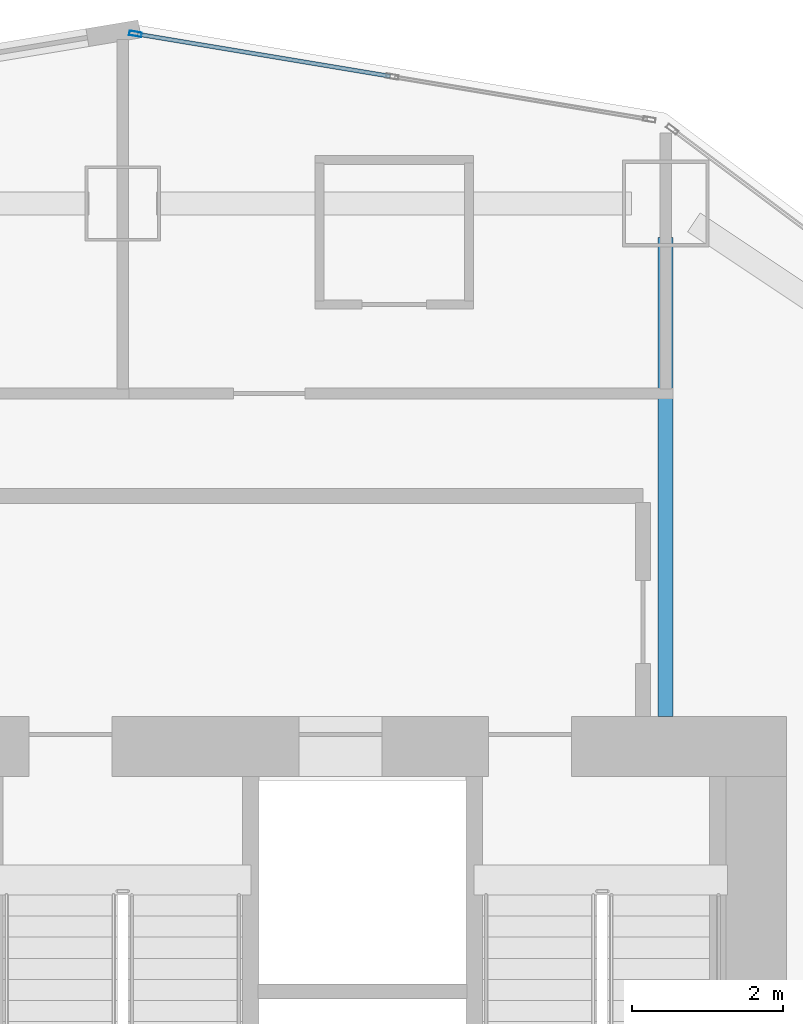
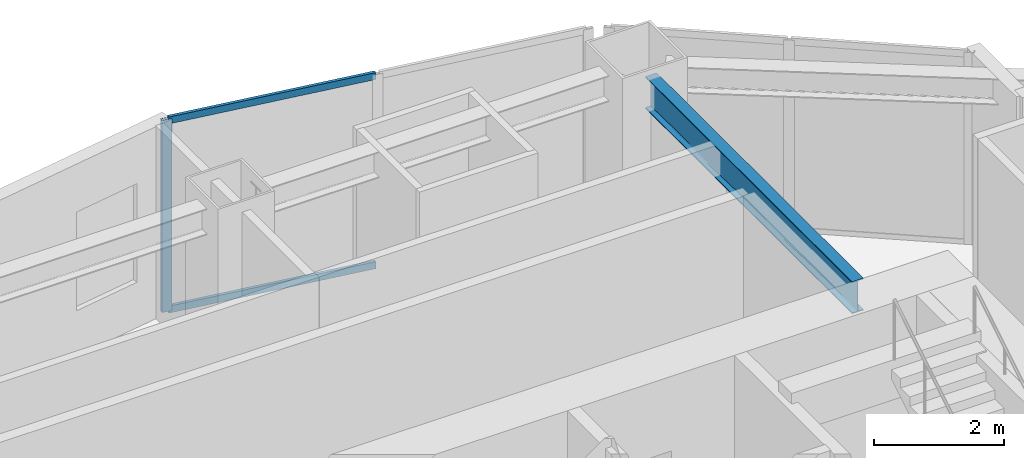
# One storey, part 2 of 15: 3 members, 1 beam, 1 element without a shape of its own.
"""IFC4 building model written with IfcOpenShell, lengths in metres."""

from ifc_helpers import new_model, si_unit, direction, frame, origin, origin_2d, place, context, subcontext, project, spatial, hollow_rectangle, i_section, extrude, material, layer, layer_set, material_profile, profile_set, type_object, element, aggregate, save


model = new_model("IFC4")

# Units and contexts
model_context = context("Model", 3, precision=1e-05, world=origin(), true_north=direction((0.0, 1.0)))
body_context = subcontext(model_context, "Body", "Model", "MODEL_VIEW")
ifc_project = project(units=[si_unit("LENGTHUNIT", "METRE"), si_unit("AREAUNIT", "SQUARE_METRE"), si_unit("VOLUMEUNIT", "CUBIC_METRE"), si_unit("PLANEANGLEUNIT", "RADIAN"), si_unit("MASSUNIT", "GRAM", prefix="KILO")], contexts=[model_context])

# Site, building, storey
site_placement = place(None, origin())
site = spatial("IfcSite", under=ifc_project, at=site_placement, CompositionType="ELEMENT")
building_placement = place(site_placement, origin())
building = spatial("IfcBuilding", under=site, at=building_placement, Name="Haolan Belvedere Tower", CompositionType="ELEMENT")
storey_placement = place(building_placement, frame((0.0, 0.0, 66.60009765625)))
storey = spatial("IfcBuildingStorey", under=building, at=storey_placement, Name="L16", CompositionType="ELEMENT", Elevation=66.60009765625)

# Beam
ifc_material_1 = material(Name="Steel Q355B", Category="steel")
ifc_material_profile_1 = material_profile(ifc_material_1, i_section(OverallWidth=0.199951171875, OverallDepth=0.60009765625, WebThickness=0.010986328125, FlangeThickness=0.01708984375, FilletRadius=0.02197265625, at=origin_2d()), Name="Steel Q355B")
ifc_profile_set_1 = profile_set([ifc_material_profile_1], Name="Steel Q355B")
beam_type = type_object("IfcBeamType", Name="BM-HN600x200x11x17", PredefinedType="BEAM", material=ifc_profile_set_1)
beam_placement = place(storey_placement, frame((45.60009765625, 49.949951171875, 3.2998046875), z_axis=(0.0, -1.0, 0.0), x_axis=(1.0, 0.0, 0.0)))
element("IfcBeam", 1, at=beam_placement, inside=storey, type_object=beam_type, Name="L16 core tie beam from MC-T3-N2", PredefinedType="BEAM", context=body_context, shape_type="SweptSolid", body=[
    extrude(i_section(OverallWidth=0.199951171875, OverallDepth=0.60009765625, WebThickness=0.010986328125, FlangeThickness=0.01708984375, FilletRadius=0.02197265625, at=origin_2d()), origin(), (0.0, 0.0, 1.0), 6.349853515625),
])

# Curtain wall, members
ifc_material_2 = material(Name="Anodised champagne-silver aluminium 6063-T6 and Low-E glass", Category="aluminium")
ifc_layer = layer(ifc_material_2, 0.1650390625, Name="Anodised champagne-silver aluminium 6063-T6 and Low-E glass")
ifc_layer_set = layer_set([ifc_layer], Name="Anodised champagne-silver aluminium 6063-T6 and Low-E glass")
curtain_wall_type = type_object("IfcCurtainWallType", Name="CW-SYS-02", PredefinedType="NOTDEFINED", material=ifc_layer_set)
curtain_wall_placement = place(storey_placement, origin())
curtain_wall = element("IfcCurtainWall", 2, at=curtain_wall_placement, inside=storey, type_object=curtain_wall_type, Name="L16 CW-SYS-02 ribbon curtain wall 42.1", PredefinedType="NOTDEFINED")
ifc_material_3 = material(Name="Anodised aluminium 6063-T6", Category="aluminium")
ifc_material_profile_2 = material_profile(ifc_material_3, hollow_rectangle(XDim=0.06005859375, YDim=0.1650390625, WallThickness=0.00390625, at=origin_2d()), Name="Anodised aluminium 6063-T6")
ifc_profile_set_2 = profile_set([ifc_material_profile_2], Name="Anodised aluminium 6063-T6")
member_type_1 = type_object("IfcMemberType", Name="CW-SYS-02-MUL", PredefinedType="MULLION", material=ifc_profile_set_2)
member_1_placement = place(storey_placement, frame((38.567626953125, 52.650390625, 0.0), z_axis=(0.0, 0.0, 1.0), x_axis=(-0.16440364043, -0.9863931483, 0.0)))
member_1 = element("IfcMember", 3, at=member_1_placement, type_object=member_type_1, Name="CW-02 mullion 3", PredefinedType="MULLION", context=body_context, shape_type="SweptSolid", body=[
    extrude(hollow_rectangle(XDim=0.06005859375, YDim=0.1650390625, WallThickness=0.00390625, at=origin_2d()), origin(), (0.0, 0.0, 1.0), 3.599853515625),
])
ifc_material_profile_3 = material_profile(ifc_material_3, hollow_rectangle(XDim=0.054931640625, YDim=0.1298828125, WallThickness=0.00390625, at=origin_2d()), Name="Anodised aluminium 6063-T6")
ifc_profile_set_3 = profile_set([ifc_material_profile_3], Name="Anodised aluminium 6063-T6")
member_type_2 = type_object("IfcMemberType", Name="CW-SYS-02-TRN", PredefinedType="USERDEFINED", material=ifc_profile_set_3)
member_2_placement = place(storey_placement, frame((41.946044921875, 52.08740234375, 0.02734375), z_axis=(-0.986395867289, 0.164387326137, 0.0), x_axis=(-0.164387326137, -0.986395867289, 0.0)))
member_2 = element("IfcMember", 4, at=member_2_placement, type_object=member_type_2, Name="CW-02 transom 2.1", ObjectType="TRANSOM", PredefinedType="USERDEFINED", context=body_context, shape_type="SweptSolid", body=[
    extrude(hollow_rectangle(XDim=0.054931640625, YDim=0.1298828125, WallThickness=0.00390625, at=origin_2d()), origin(), (0.0, 0.0, 1.0), 3.39501953125),
])
member_3_placement = place(storey_placement, frame((41.946044921875, 52.08740234375, 3.572509765625), z_axis=(-0.986395867289, 0.164387326137, 0.0), x_axis=(-0.164387326137, -0.986395867289, 0.0)))
member_3 = element("IfcMember", 5, at=member_3_placement, type_object=member_type_2, Name="CW-02 transom 2.2", ObjectType="TRANSOM", PredefinedType="USERDEFINED", context=body_context, shape_type="SweptSolid", body=[
    extrude(hollow_rectangle(XDim=0.054931640625, YDim=0.1298828125, WallThickness=0.00390625, at=origin_2d()), origin(), (0.0, 0.0, 1.0), 3.39501953125),
])
aggregate(curtain_wall, [member_1, member_2, member_3])

save(model, "model.ifc")
